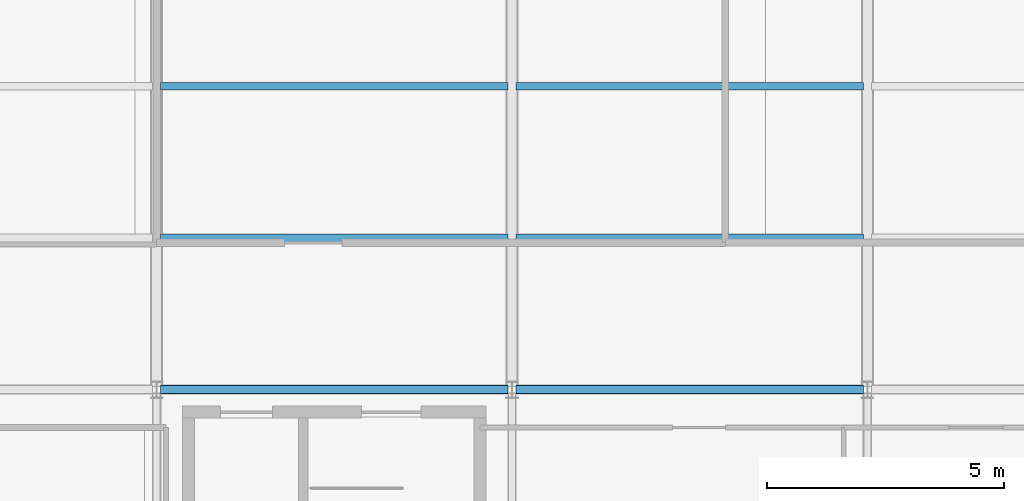
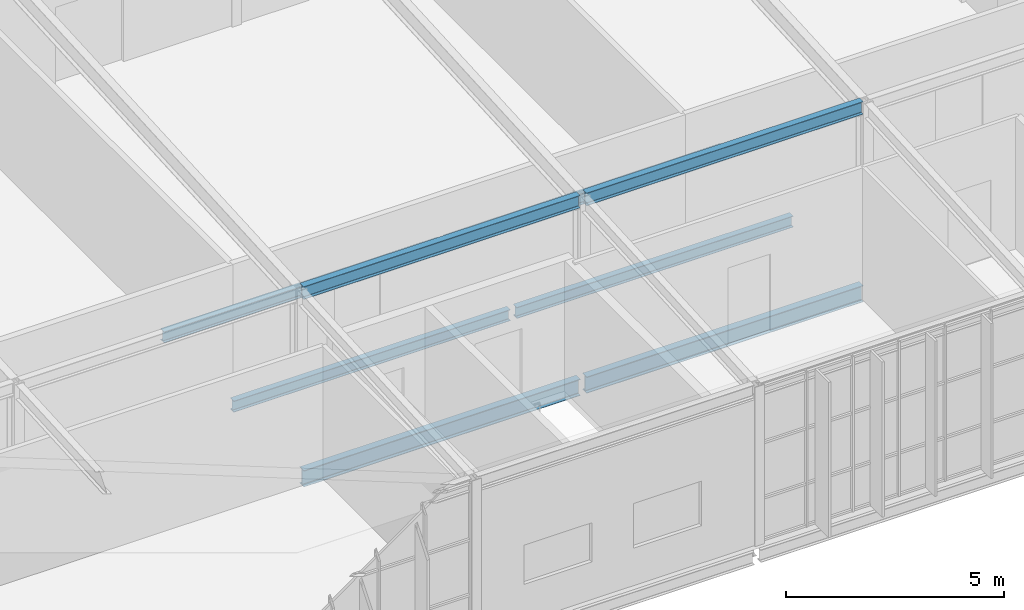
# One storey, part 24 of 104: 8 beams.
"""IFC4 building model written with IfcOpenShell, lengths in metres."""

import ifcopenshell
import ifcopenshell.guid

model = None  # the IFC model being written
_history = None  # IfcOwnerHistory: only IFC2X3 demands one
_inside = {}  # id of a spatial element -> (the spatial element, [elements in it])
_under = {}  # id of a project, library or spatial element -> (it, [spatial elements below it])
_declared = {}  # id of a project -> (the project, [libraries it declares])
_typed = {}  # id of a type object -> (the type object, [elements of that type])
_made_of = {}  # id of a material, layer set ... -> (it, [elements and type objects made of it])


def new_model(schema):
    """Start an empty IFC model of exactly this schema.

    Asked for "IFC4X3", IfcOpenShell would pick the latest addendum, in which some entities
    have other attributes; the version numbers below select the first issue.
    IFC2X3 requires an IfcOwnerHistory on every rooted entity: one is made here for all.
    """
    global model, _history
    if schema == "IFC4X3":
        model = ifcopenshell.file(schema_version=(4, 3, 0, 0))
    else:
        model = ifcopenshell.file(schema=schema)
    _inside.clear()
    _under.clear()
    _declared.clear()
    _typed.clear()
    _made_of.clear()
    _history = None
    if model.schema == "IFC2X3":
        org = make("IfcOrganization", Name="unknown")
        user = make(
            "IfcPersonAndOrganization",
            ThePerson=make("IfcPerson", FamilyName="unknown"),
            TheOrganization=org,
        )
        app = make(
            "IfcApplication",
            ApplicationDeveloper=org,
            Version="unknown",
            ApplicationFullName="unknown",
            ApplicationIdentifier="unknown",
        )
        _history = make(
            "IfcOwnerHistory",
            OwningUser=user,
            OwningApplication=app,
            ChangeAction="ADDED",
            CreationDate=0,
        )
    return model


def make(cls, **values):
    """One entity of the class cls with the attributes given. An attribute that is None is left unset."""
    return model.create_entity(
        cls, **{name: value for name, value in values.items() if value is not None}
    )


def rooted(cls, **values):
    """An entity with a GlobalId (a new one), such as an element, a storey or a relation."""
    return make(cls, GlobalId=ifcopenshell.guid.new(), OwnerHistory=_history, **values)


def si_unit(unit_type, name, prefix=None):
    """IfcSIUnit, for example si_unit("LENGTHUNIT", "METRE", prefix="MILLI")."""
    return make("IfcSIUnit", UnitType=unit_type, Prefix=prefix, Name=name)


def assignment(units):
    """IfcUnitAssignment: the units of a project."""
    return None if units is None else make("IfcUnitAssignment", Units=units)


def point(xyz):
    """IfcCartesianPoint."""
    return None if xyz is None else make("IfcCartesianPoint", Coordinates=xyz)


def direction(xyz):
    """IfcDirection."""
    return None if xyz is None else make("IfcDirection", DirectionRatios=xyz)


def frame(location, z_axis=None, x_axis=None):
    """IfcAxis2Placement3D, a coordinate frame: its origin and axes. An axis left out is left unset."""
    return make(
        "IfcAxis2Placement3D",
        Location=point(location),
        Axis=direction(z_axis),
        RefDirection=direction(x_axis),
    )


def frame_2d(location, x_axis=None):
    """IfcAxis2Placement2D, a coordinate frame in the plane: its origin and x axis."""
    return make(
        "IfcAxis2Placement2D", Location=point(location), RefDirection=direction(x_axis)
    )


def origin():
    """The frame at (0, 0, 0) with its axes left unset."""
    return frame((0.0, 0.0, 0.0))


def origin_2d():
    """The frame at (0, 0) in the plane with its x axis left unset."""
    return frame_2d((0.0, 0.0))


def place(relative_to, where):
    """IfcLocalPlacement: puts the frame where relative to a parent placement (None: the world)."""
    return make(
        "IfcLocalPlacement", PlacementRelTo=relative_to, RelativePlacement=where
    )


def context(
    kind, dimensions, precision=None, world=None, true_north=None, identifier=None
):
    """IfcGeometricRepresentationContext, for example the 3D "Model" context."""
    return make(
        "IfcGeometricRepresentationContext",
        ContextIdentifier=identifier,
        ContextType=kind,
        CoordinateSpaceDimension=dimensions,
        Precision=precision,
        WorldCoordinateSystem=world,
        TrueNorth=true_north,
    )


def subcontext(parent, identifier, kind, view, scale=None):
    """IfcGeometricRepresentationSubContext, for example "Body" below "Model"."""
    return make(
        "IfcGeometricRepresentationSubContext",
        ContextIdentifier=identifier,
        ContextType=kind,
        ParentContext=parent,
        TargetScale=scale,
        TargetView=view,
    )


def project(units=None, contexts=None):
    """IfcProject with its units and contexts."""
    return rooted(
        "IfcProject",
        Name="project",
        RepresentationContexts=contexts,
        UnitsInContext=assignment(units),
    )


def spatial(cls, under=None, at=None, **own):
    """A site, building, storey or space (cls), placed at a placement, below another one or the project."""
    s = rooted(cls, ObjectPlacement=at, **own)
    if under is not None:
        _under.setdefault(under.id(), (under, []))[1].append(s)
    return s


def profile(cls, at=None, kind="AREA", **sizes):
    """A parametric profile (cls). Its sizes go by their IFC names, for example OverallWidth=200.0."""
    return make(cls, ProfileType=kind, Position=at, **sizes)


def i_section(**sizes):
    """IfcIShapeProfileDef."""
    return profile("IfcIShapeProfileDef", **sizes)


def extrude(swept, where, along, depth):
    """IfcExtrudedAreaSolid: the profile swept, set in the frame where, extruded along a direction by depth."""
    return make(
        "IfcExtrudedAreaSolid",
        SweptArea=swept,
        Position=where,
        ExtrudedDirection=direction(along),
        Depth=depth,
    )


def shape(context_of_items, identifier, shape_type, items):
    """IfcShapeRepresentation: the items that make up one representation, for example the "Body"."""
    return make(
        "IfcShapeRepresentation",
        ContextOfItems=context_of_items,
        RepresentationIdentifier=identifier,
        RepresentationType=shape_type,
        Items=items,
    )


def material(Name=None, Category=None):
    """IfcMaterial."""
    return make("IfcMaterial", Name=Name, Category=Category)


def material_profile(
    of_material, cross_section, Name=None, Category=None, Priority=None
):
    """IfcMaterialProfile: a cross section and its material."""
    return make(
        "IfcMaterialProfile",
        Name=Name,
        Material=of_material,
        Profile=cross_section,
        Priority=Priority,
        Category=Category,
    )


def profile_set(profiles, Name=None, composite=None):
    """IfcMaterialProfileSet."""
    return make(
        "IfcMaterialProfileSet",
        Name=Name,
        MaterialProfiles=profiles,
        CompositeProfile=composite,
    )


def made_of(thing, what):
    """Note that an element or type object is made of a material, layer set ...; save() writes the relation."""
    if what is not None:
        _made_of.setdefault(what.id(), (what, []))[1].append(thing)
    return thing


def type_object(cls, material=None, **own):
    """A type object (cls), such as IfcWallType, which elements share."""
    return made_of(rooted(cls, **own), material)


def element(
    cls,
    number,
    at=None,
    inside=None,
    cuts=None,
    type_object=None,
    material=None,
    context=None,
    identifier="Body",
    shape_type=None,
    held_by="IfcProductDefinitionShape",
    body=None,
    shapes=None,
    **own,
):
    """One element of the class cls, such as IfcWall. Its Tag is "e" and its number.

    at: its placement. inside: the storey or other place that contains it. cuts: it is an
    opening in that element (IfcRelVoidsElement). A single representation is given by context,
    identifier, shape_type and body (its items); several are given by shapes. held_by: the class
    of the entity that holds the representations. save() writes the other relations.
    """
    e = rooted(cls, Tag="e%d" % number, ObjectPlacement=at, **own)
    if body is not None:
        shapes = [shape(context, identifier, shape_type, body)]
    if shapes is not None:
        e.Representation = make(held_by, Representations=shapes)
    if inside is not None:
        _inside.setdefault(inside.id(), (inside, []))[1].append(e)
    if cuts is not None:
        rooted(
            "IfcRelVoidsElement", RelatingBuildingElement=cuts, RelatedOpeningElement=e
        )
    if type_object is not None:
        _typed.setdefault(type_object.id(), (type_object, []))[1].append(e)
    return made_of(e, material)


def aggregate(whole, parts):
    """IfcRelAggregates: a whole, such as a stair, and the parts it consists of."""
    return rooted("IfcRelAggregates", RelatingObject=whole, RelatedObjects=parts)


def save(model, path):
    """Write the relations noted so far, then the file.

    IfcRelAggregates (storeys below a building ...), IfcRelContainedInSpatialStructure (elements
    in a storey), IfcRelDefinesByType, IfcRelAssociatesMaterial and IfcRelDeclares: one each for
    every whole, place, type object, material and project.
    """
    for whole, parts in _under.values():
        aggregate(whole, parts)
    for where, things in _inside.values():
        rooted(
            "IfcRelContainedInSpatialStructure",
            RelatedElements=things,
            RelatingStructure=where,
        )
    for kind, things in _typed.values():
        rooted("IfcRelDefinesByType", RelatedObjects=things, RelatingType=kind)
    for what, things in _made_of.values():
        rooted("IfcRelAssociatesMaterial", RelatedObjects=things, RelatingMaterial=what)
    for by, libraries in _declared.values():
        rooted("IfcRelDeclares", RelatingContext=by, RelatedDefinitions=libraries)
    model.write(path)


model = new_model("IFC4")

# Units and contexts
model_context = context("Model", 3, precision=1e-05, world=origin(), true_north=direction((0.0, 1.0)))
body_context = subcontext(model_context, "Body", "Model", "MODEL_VIEW")
ifc_project = project(units=[si_unit("LENGTHUNIT", "METRE"), si_unit("AREAUNIT", "SQUARE_METRE"), si_unit("VOLUMEUNIT", "CUBIC_METRE"), si_unit("PLANEANGLEUNIT", "RADIAN"), si_unit("MASSUNIT", "GRAM", prefix="KILO")], contexts=[model_context])

# Site, building, storey
site_placement = place(None, origin())
site = spatial("IfcSite", under=ifc_project, at=site_placement, CompositionType="ELEMENT")
building_placement = place(site_placement, origin())
building = spatial("IfcBuilding", under=site, at=building_placement, Name="Solvenia Promenade Tram Depot", CompositionType="ELEMENT")
storey_placement = place(building_placement, frame((0.0, 0.0, 9.0)))
storey = spatial("IfcBuildingStorey", under=building, at=storey_placement, Name="L02", CompositionType="ELEMENT", Elevation=9.0)

# Beams
ifc_material = material(Name="Structural steel ASTM A992 Gr. 50", Category="steel")
ifc_material_profile_1 = material_profile(ifc_material, i_section(OverallWidth=0.19091796875, OverallDepth=0.4599609375, WebThickness=0.010009765625, FlangeThickness=0.01611328125, FilletRadius=0.012939453125, at=origin_2d()), Name="W460x82", Category="steel")
ifc_profile_set_1 = profile_set([ifc_material_profile_1], Name="Structural steel ASTM A992 Gr. 50")
beam_type_1 = type_object("IfcBeamType", Name="Beam-W460x82", PredefinedType="BEAM", material=ifc_profile_set_1)
for number, where, z_axis, x_axis, name in (
    (1, (30.0849609375, 8.0, -0.449951171875), (1.0, 0.0, 0.0), (0.0, 1.0, 0.0), "Primary Girder BM-L02-0533"),
    (2, (37.5849609375, 8.0, -0.449951171875), (1.0, 0.0, 0.0), (0.0, 1.0, 0.0), "Primary Girder BM-L02-0534"),
):
    element("IfcBeam", number, at=place(storey_placement, frame(where, z_axis=z_axis, x_axis=x_axis)), inside=storey, type_object=beam_type_1, Name=name, PredefinedType="BEAM", context=body_context, shape_type="SweptSolid", body=[
        extrude(i_section(OverallWidth=0.19091796875, OverallDepth=0.4599609375, WebThickness=0.010009765625, FlangeThickness=0.01611328125, FilletRadius=0.012939453125, at=origin_2d()), origin(), (0.0, 0.0, 1.0), 7.330078125),
    ])
ifc_material_profile_2 = material_profile(ifc_material, i_section(OverallWidth=0.166015625, OverallDepth=0.31298828125, WebThickness=0.006591796875, FlangeThickness=0.01123046875, FilletRadius=0.010009765625, at=origin_2d()), Name="W310x45", Category="steel")
ifc_profile_set_2 = profile_set([ifc_material_profile_2], Name="Structural steel ASTM A992 Gr. 50")
beam_type_2 = type_object("IfcBeamType", Name="Joist-W310x45", PredefinedType="JOIST", material=ifc_profile_set_2)
for number, where, z_axis, x_axis, name in (
    (3, (30.0849609375, 11.199951171875, -0.37646484375), (1.0, 0.0, 0.0), (0.0, 1.0, 0.0), "Secondary Floor Joist BM-L02-0579"),
    (4, (30.0849609375, 14.39990234375, -0.37646484375), (1.0, 0.0, 0.0), (0.0, 1.0, 0.0), "Secondary Floor Joist BM-L02-0580"),
    (5, (37.5849609375, 11.199951171875, -0.37646484375), (1.0, 0.0, 0.0), (0.0, 1.0, 0.0), "Secondary Floor Joist BM-L02-0585"),
    (6, (37.5849609375, 14.39990234375, -0.37646484375), (1.0, 0.0, 0.0), (0.0, 1.0, 0.0), "Secondary Floor Joist BM-L02-0586"),
):
    element("IfcBeam", number, at=place(storey_placement, frame(where, z_axis=z_axis, x_axis=x_axis)), inside=storey, type_object=beam_type_2, Name=name, PredefinedType="JOIST", context=body_context, shape_type="SweptSolid", body=[
        extrude(i_section(OverallWidth=0.166015625, OverallDepth=0.31298828125, WebThickness=0.006591796875, FlangeThickness=0.01123046875, FilletRadius=0.010009765625, at=origin_2d()), origin(), (0.0, 0.0, 1.0), 7.330078125),
    ])
ifc_material_profile_3 = material_profile(ifc_material, i_section(OverallWidth=0.172119140625, OverallDepth=0.35791015625, WebThickness=0.0078125, FlangeThickness=0.01318359375, FilletRadius=0.010986328125, at=origin_2d()), Name="W360x57", Category="steel")
ifc_profile_set_3 = profile_set([ifc_material_profile_3], Name="Structural steel ASTM A992 Gr. 50")
beam_type_3 = type_object("IfcBeamType", Name="Spandrel-W360x57", PredefinedType="SPANDREL", material=ifc_profile_set_3)
for number, where, z_axis, x_axis, name in (
    (7, (30.0849609375, 8.0, 4.747802734375), (1.0, 0.0, 0.0), (0.0, 1.0, 0.0), "Folded Wing Roof Eave Beam BM-L02-0871"),
    (8, (37.5849609375, 8.0, 4.747802734375), (1.0, 0.0, 0.0), (0.0, 1.0, 0.0), "Folded Wing Roof Eave Beam BM-L02-0874"),
):
    element("IfcBeam", number, at=place(storey_placement, frame(where, z_axis=z_axis, x_axis=x_axis)), inside=storey, type_object=beam_type_3, Name=name, PredefinedType="SPANDREL", context=body_context, shape_type="SweptSolid", body=[
        extrude(i_section(OverallWidth=0.172119140625, OverallDepth=0.35791015625, WebThickness=0.0078125, FlangeThickness=0.01318359375, FilletRadius=0.010986328125, at=origin_2d()), origin(), (0.0, 0.0, 1.0), 7.330078125),
    ])

save(model, "model.ifc")
